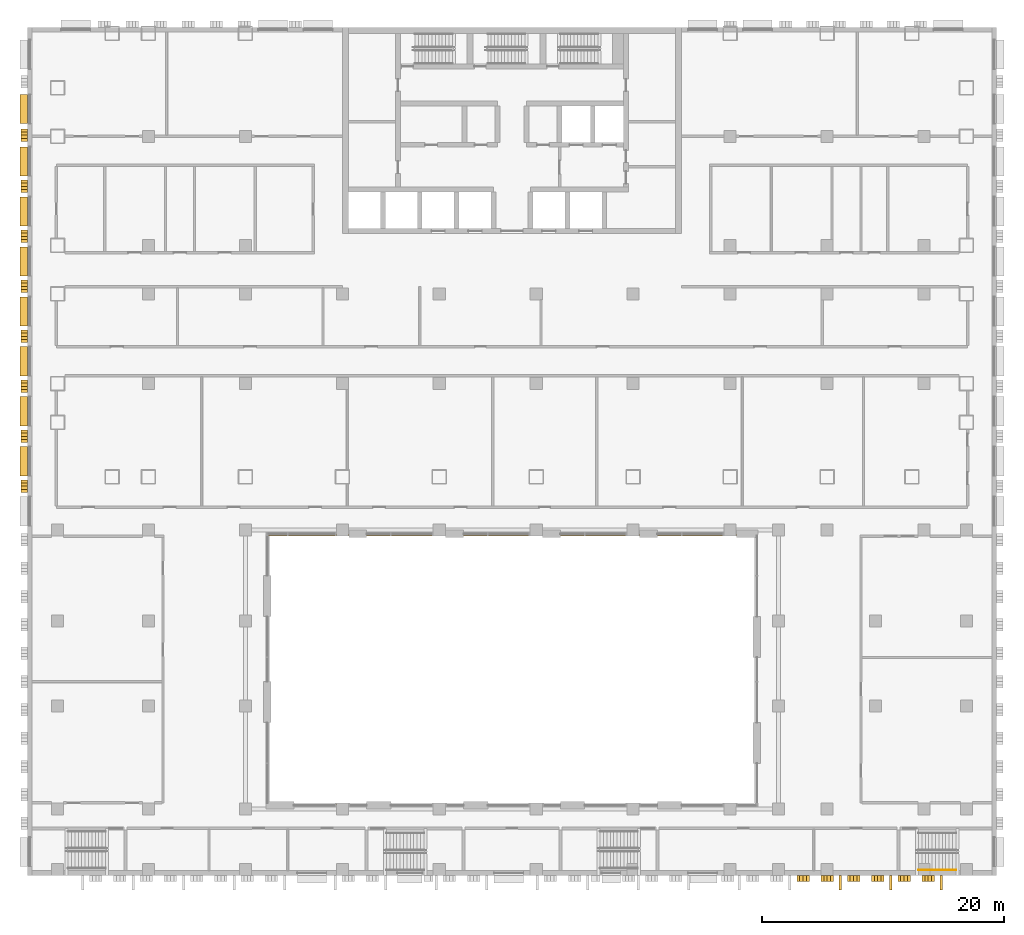
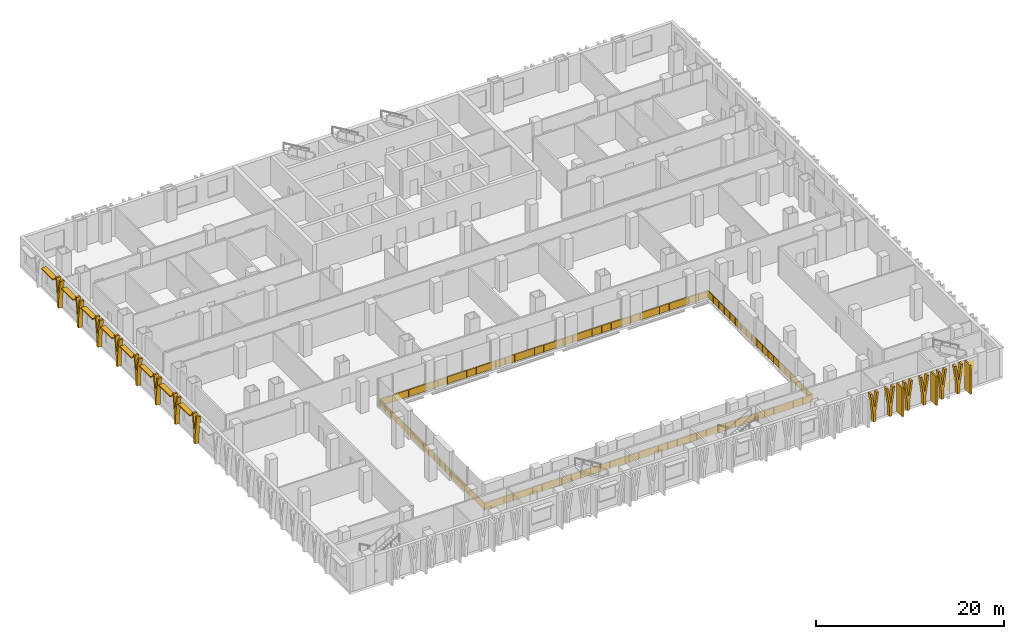
# One storey, part 21 of 25: 25 shading devices, 2 railings.
"""IFC4 building model written with IfcOpenShell, lengths in metres."""

from ifc_helpers import new_model, si_unit, direction, frame, frame_2d, origin, origin_2d, place, context, subcontext, project, spatial, polyline, rectangle, circle, outline, extrude, material, layer, layer_set, type_object, element, save


model = new_model("IFC4")

# Units and contexts
model_context = context("Model", 3, precision=1e-05, world=origin(), true_north=direction((0.0, 1.0)))
body_context = subcontext(model_context, "Body", "Model", "MODEL_VIEW")
ifc_project = project(units=[si_unit("LENGTHUNIT", "METRE"), si_unit("AREAUNIT", "SQUARE_METRE"), si_unit("VOLUMEUNIT", "CUBIC_METRE"), si_unit("PLANEANGLEUNIT", "RADIAN"), si_unit("MASSUNIT", "GRAM", prefix="KILO")], contexts=[model_context])

# Site, building, storey
site_placement = place(None, origin())
site = spatial("IfcSite", under=ifc_project, at=site_placement, CompositionType="ELEMENT")
building_placement = place(site_placement, origin())
building = spatial("IfcBuilding", under=site, at=building_placement, Name="Vidyagriha Tower", CompositionType="ELEMENT")
storey_placement = place(building_placement, frame((0.0, 0.0, 14.0)))
storey = spatial("IfcBuildingStorey", under=building, at=storey_placement, Name="L03", CompositionType="ELEMENT", Elevation=14.0)

# Railing
ifc_material_1 = material(Name="Powder coated ASTM A500 Grade C steel balustrade", Category="steel")
railing_type_1 = type_object("IfcRailingType", Name="Atrium Gallery Guard 1100", PredefinedType="GUARDRAIL", material=ifc_material_1)
railing_1_placement = place(storey_placement, frame((-20.10009765625, -44.0, 0.0)))
element("IfcRailing", 1, at=railing_1_placement, inside=storey, type_object=railing_type_1, Name="L03 atrium gallery guard", PredefinedType="GUARDRAIL", context=body_context, shape_type="SweptSolid", body=[
    extrude(circle(Radius=0.02392578125, at=origin_2d()), frame((0.0, 0.0, 1.076171875), z_axis=(0.0, -1.0, 0.0), x_axis=(1.0, 0.0, 0.0)), (0.0, 0.0, 1.0), 0.10009765625),
    extrude(circle(Radius=0.02392578125, at=origin_2d()), frame((0.0, -0.10009765625, 1.076171875), z_axis=(1.0, 0.0, 0.0), x_axis=(0.0, 1.0, 0.0)), (0.0, 0.0, 1.0), 40.2001953125),
    extrude(circle(Radius=0.02392578125, at=origin_2d()), frame((40.2001953125, -0.10009765625, 1.076171875), z_axis=(0.0, 1.0, 0.0), x_axis=(-1.0, 0.0, 0.0)), (0.0, 0.0, 1.0), 22.2001953125),
    extrude(circle(Radius=0.02392578125, at=origin_2d()), frame((40.2001953125, 22.10009765625, 1.076171875), z_axis=(-1.0, 0.0, 0.0), x_axis=(0.0, -1.0, 0.0)), (0.0, 0.0, 1.0), 40.2001953125),
    extrude(circle(Radius=0.02392578125, at=origin_2d()), frame((0.0, 22.10009765625, 1.076171875), z_axis=(0.0, -1.0, 0.0), x_axis=(1.0, 0.0, 0.0)), (0.0, 0.0, 1.0), 22.0),
    extrude(circle(Radius=0.02099609375, at=origin_2d()), origin(), (0.0, 0.0, 1.0), 1.052001953125),
    extrude(circle(Radius=0.02099609375, at=origin_2d()), frame((0.0, -0.10009765625, 0.0)), (0.0, 0.0, 1.0), 1.052001953125),
    extrude(circle(Radius=0.02099609375, at=origin_2d()), frame((1.182373046875, -0.10009765625, 0.0)), (0.0, 0.0, 1.0), 1.052001953125),
    extrude(circle(Radius=0.02099609375, at=origin_2d()), frame((2.36474609375, -0.10009765625, 0.0)), (0.0, 0.0, 1.0), 1.052001953125),
    extrude(circle(Radius=0.02099609375, at=origin_2d()), frame((3.547119140625, -0.10009765625, 0.0)), (0.0, 0.0, 1.0), 1.052001953125),
    extrude(circle(Radius=0.02099609375, at=origin_2d()), frame((4.7294921875, -0.10009765625, 0.0)), (0.0, 0.0, 1.0), 1.052001953125),
    extrude(circle(Radius=0.02099609375, at=origin_2d()), frame((5.911865234375, -0.10009765625, 0.0)), (0.0, 0.0, 1.0), 1.052001953125),
    extrude(circle(Radius=0.02099609375, at=origin_2d()), frame((7.09423828125, -0.10009765625, 0.0)), (0.0, 0.0, 1.0), 1.052001953125),
    extrude(circle(Radius=0.02099609375, at=origin_2d()), frame((8.276611328125, -0.10009765625, 0.0)), (0.0, 0.0, 1.0), 1.052001953125),
    extrude(circle(Radius=0.02099609375, at=origin_2d()), frame((9.458984375, -0.10009765625, 0.0)), (0.0, 0.0, 1.0), 1.052001953125),
    extrude(circle(Radius=0.02099609375, at=origin_2d()), frame((10.64111328125, -0.10009765625, 0.0)), (0.0, 0.0, 1.0), 1.052001953125),
    extrude(circle(Radius=0.02099609375, at=origin_2d()), frame((11.823486328125, -0.10009765625, 0.0)), (0.0, 0.0, 1.0), 1.052001953125),
    extrude(circle(Radius=0.02099609375, at=origin_2d()), frame((13.005859375, -0.10009765625, 0.0)), (0.0, 0.0, 1.0), 1.052001953125),
    extrude(circle(Radius=0.02099609375, at=origin_2d()), frame((14.188232421875, -0.10009765625, 0.0)), (0.0, 0.0, 1.0), 1.052001953125),
    extrude(circle(Radius=0.02099609375, at=origin_2d()), frame((15.37060546875, -0.10009765625, 0.0)), (0.0, 0.0, 1.0), 1.052001953125),
    extrude(circle(Radius=0.02099609375, at=origin_2d()), frame((16.552978515625, -0.10009765625, 0.0)), (0.0, 0.0, 1.0), 1.052001953125),
    extrude(circle(Radius=0.02099609375, at=origin_2d()), frame((17.7353515625, -0.10009765625, 0.0)), (0.0, 0.0, 1.0), 1.052001953125),
    extrude(circle(Radius=0.02099609375, at=origin_2d()), frame((18.917724609375, -0.10009765625, 0.0)), (0.0, 0.0, 1.0), 1.052001953125),
    extrude(circle(Radius=0.02099609375, at=origin_2d()), frame((20.10009765625, -0.10009765625, 0.0)), (0.0, 0.0, 1.0), 1.052001953125),
    extrude(circle(Radius=0.02099609375, at=origin_2d()), frame((21.282470703125, -0.10009765625, 0.0)), (0.0, 0.0, 1.0), 1.052001953125),
    extrude(circle(Radius=0.02099609375, at=origin_2d()), frame((22.46484375, -0.10009765625, 0.0)), (0.0, 0.0, 1.0), 1.052001953125),
    extrude(circle(Radius=0.02099609375, at=origin_2d()), frame((23.647216796875, -0.10009765625, 0.0)), (0.0, 0.0, 1.0), 1.052001953125),
    extrude(circle(Radius=0.02099609375, at=origin_2d()), frame((24.82958984375, -0.10009765625, 0.0)), (0.0, 0.0, 1.0), 1.052001953125),
    extrude(circle(Radius=0.02099609375, at=origin_2d()), frame((26.011962890625, -0.10009765625, 0.0)), (0.0, 0.0, 1.0), 1.052001953125),
    extrude(circle(Radius=0.02099609375, at=origin_2d()), frame((27.1943359375, -0.10009765625, 0.0)), (0.0, 0.0, 1.0), 1.052001953125),
    extrude(circle(Radius=0.02099609375, at=origin_2d()), frame((28.376708984375, -0.10009765625, 0.0)), (0.0, 0.0, 1.0), 1.052001953125),
    extrude(circle(Radius=0.02099609375, at=origin_2d()), frame((29.55908203125, -0.10009765625, 0.0)), (0.0, 0.0, 1.0), 1.052001953125),
    extrude(circle(Radius=0.02099609375, at=origin_2d()), frame((30.7412109375, -0.10009765625, 0.0)), (0.0, 0.0, 1.0), 1.052001953125),
    extrude(circle(Radius=0.02099609375, at=origin_2d()), frame((31.923583984375, -0.10009765625, 0.0)), (0.0, 0.0, 1.0), 1.052001953125),
    extrude(circle(Radius=0.02099609375, at=origin_2d()), frame((33.10595703125, -0.10009765625, 0.0)), (0.0, 0.0, 1.0), 1.052001953125),
    extrude(circle(Radius=0.02099609375, at=origin_2d()), frame((34.288330078125, -0.10009765625, 0.0)), (0.0, 0.0, 1.0), 1.052001953125),
    extrude(circle(Radius=0.02099609375, at=origin_2d()), frame((35.470703125, -0.10009765625, 0.0)), (0.0, 0.0, 1.0), 1.052001953125),
    extrude(circle(Radius=0.02099609375, at=origin_2d()), frame((36.653076171875, -0.10009765625, 0.0)), (0.0, 0.0, 1.0), 1.052001953125),
    extrude(circle(Radius=0.02099609375, at=origin_2d()), frame((37.83544921875, -0.10009765625, 0.0)), (0.0, 0.0, 1.0), 1.052001953125),
    extrude(circle(Radius=0.02099609375, at=origin_2d()), frame((39.017822265625, -0.10009765625, 0.0)), (0.0, 0.0, 1.0), 1.052001953125),
    extrude(circle(Radius=0.02099609375, at=origin_2d()), frame((40.2001953125, -0.10009765625, 0.0)), (0.0, 0.0, 1.0), 1.052001953125),
    extrude(circle(Radius=0.02099609375, at=origin_2d()), frame((40.2001953125, 1.068359375, 0.0)), (0.0, 0.0, 1.0), 1.052001953125),
    extrude(circle(Radius=0.02099609375, at=origin_2d()), frame((40.2001953125, 2.23681640625, 0.0)), (0.0, 0.0, 1.0), 1.052001953125),
    extrude(circle(Radius=0.02099609375, at=origin_2d()), frame((40.2001953125, 3.4052734375, 0.0)), (0.0, 0.0, 1.0), 1.052001953125),
    extrude(circle(Radius=0.02099609375, at=origin_2d()), frame((40.2001953125, 4.57373046875, 0.0)), (0.0, 0.0, 1.0), 1.052001953125),
    extrude(circle(Radius=0.02099609375, at=origin_2d()), frame((40.2001953125, 5.741943359375, 0.0)), (0.0, 0.0, 1.0), 1.052001953125),
    extrude(circle(Radius=0.02099609375, at=origin_2d()), frame((40.2001953125, 6.910400390625, 0.0)), (0.0, 0.0, 1.0), 1.052001953125),
    extrude(circle(Radius=0.02099609375, at=origin_2d()), frame((40.2001953125, 8.078857421875, 0.0)), (0.0, 0.0, 1.0), 1.052001953125),
    extrude(circle(Radius=0.02099609375, at=origin_2d()), frame((40.2001953125, 9.247314453125, 0.0)), (0.0, 0.0, 1.0), 1.052001953125),
    extrude(circle(Radius=0.02099609375, at=origin_2d()), frame((40.2001953125, 10.415771484375, 0.0)), (0.0, 0.0, 1.0), 1.052001953125),
    extrude(circle(Radius=0.02099609375, at=origin_2d()), frame((40.2001953125, 11.584228515625, 0.0)), (0.0, 0.0, 1.0), 1.052001953125),
    extrude(circle(Radius=0.02099609375, at=origin_2d()), frame((40.2001953125, 12.752685546875, 0.0)), (0.0, 0.0, 1.0), 1.052001953125),
    extrude(circle(Radius=0.02099609375, at=origin_2d()), frame((40.2001953125, 13.921142578125, 0.0)), (0.0, 0.0, 1.0), 1.052001953125),
    extrude(circle(Radius=0.02099609375, at=origin_2d()), frame((40.2001953125, 15.089599609375, 0.0)), (0.0, 0.0, 1.0), 1.052001953125),
    extrude(circle(Radius=0.02099609375, at=origin_2d()), frame((40.2001953125, 16.258056640625, 0.0)), (0.0, 0.0, 1.0), 1.052001953125),
    extrude(circle(Radius=0.02099609375, at=origin_2d()), frame((40.2001953125, 17.42626953125, 0.0)), (0.0, 0.0, 1.0), 1.052001953125),
    extrude(circle(Radius=0.02099609375, at=origin_2d()), frame((40.2001953125, 18.5947265625, 0.0)), (0.0, 0.0, 1.0), 1.052001953125),
    extrude(circle(Radius=0.02099609375, at=origin_2d()), frame((40.2001953125, 19.76318359375, 0.0)), (0.0, 0.0, 1.0), 1.052001953125),
    extrude(circle(Radius=0.02099609375, at=origin_2d()), frame((40.2001953125, 20.931640625, 0.0)), (0.0, 0.0, 1.0), 1.052001953125),
    extrude(circle(Radius=0.02099609375, at=origin_2d()), frame((40.2001953125, 22.10009765625, 0.0)), (0.0, 0.0, 1.0), 1.052001953125),
    extrude(circle(Radius=0.02099609375, at=origin_2d()), frame((39.017822265625, 22.10009765625, 0.0)), (0.0, 0.0, 1.0), 1.052001953125),
    extrude(circle(Radius=0.02099609375, at=origin_2d()), frame((37.83544921875, 22.10009765625, 0.0)), (0.0, 0.0, 1.0), 1.052001953125),
    extrude(circle(Radius=0.02099609375, at=origin_2d()), frame((36.653076171875, 22.10009765625, 0.0)), (0.0, 0.0, 1.0), 1.052001953125),
    extrude(circle(Radius=0.02099609375, at=origin_2d()), frame((35.470703125, 22.10009765625, 0.0)), (0.0, 0.0, 1.0), 1.052001953125),
    extrude(circle(Radius=0.02099609375, at=origin_2d()), frame((34.288330078125, 22.10009765625, 0.0)), (0.0, 0.0, 1.0), 1.052001953125),
    extrude(circle(Radius=0.02099609375, at=origin_2d()), frame((33.10595703125, 22.10009765625, 0.0)), (0.0, 0.0, 1.0), 1.052001953125),
    extrude(circle(Radius=0.02099609375, at=origin_2d()), frame((31.923583984375, 22.10009765625, 0.0)), (0.0, 0.0, 1.0), 1.052001953125),
    extrude(circle(Radius=0.02099609375, at=origin_2d()), frame((30.7412109375, 22.10009765625, 0.0)), (0.0, 0.0, 1.0), 1.052001953125),
    extrude(circle(Radius=0.02099609375, at=origin_2d()), frame((29.55908203125, 22.10009765625, 0.0)), (0.0, 0.0, 1.0), 1.052001953125),
    extrude(circle(Radius=0.02099609375, at=origin_2d()), frame((28.376708984375, 22.10009765625, 0.0)), (0.0, 0.0, 1.0), 1.052001953125),
    extrude(circle(Radius=0.02099609375, at=origin_2d()), frame((27.1943359375, 22.10009765625, 0.0)), (0.0, 0.0, 1.0), 1.052001953125),
    extrude(circle(Radius=0.02099609375, at=origin_2d()), frame((26.011962890625, 22.10009765625, 0.0)), (0.0, 0.0, 1.0), 1.052001953125),
    extrude(circle(Radius=0.02099609375, at=origin_2d()), frame((24.82958984375, 22.10009765625, 0.0)), (0.0, 0.0, 1.0), 1.052001953125),
    extrude(circle(Radius=0.02099609375, at=origin_2d()), frame((23.647216796875, 22.10009765625, 0.0)), (0.0, 0.0, 1.0), 1.052001953125),
    extrude(circle(Radius=0.02099609375, at=origin_2d()), frame((22.46484375, 22.10009765625, 0.0)), (0.0, 0.0, 1.0), 1.052001953125),
    extrude(circle(Radius=0.02099609375, at=origin_2d()), frame((21.282470703125, 22.10009765625, 0.0)), (0.0, 0.0, 1.0), 1.052001953125),
    extrude(circle(Radius=0.02099609375, at=origin_2d()), frame((20.10009765625, 22.10009765625, 0.0)), (0.0, 0.0, 1.0), 1.052001953125),
    extrude(circle(Radius=0.02099609375, at=origin_2d()), frame((18.917724609375, 22.10009765625, 0.0)), (0.0, 0.0, 1.0), 1.052001953125),
    extrude(circle(Radius=0.02099609375, at=origin_2d()), frame((17.7353515625, 22.10009765625, 0.0)), (0.0, 0.0, 1.0), 1.052001953125),
    extrude(circle(Radius=0.02099609375, at=origin_2d()), frame((16.552978515625, 22.10009765625, 0.0)), (0.0, 0.0, 1.0), 1.052001953125),
    extrude(circle(Radius=0.02099609375, at=origin_2d()), frame((15.37060546875, 22.10009765625, 0.0)), (0.0, 0.0, 1.0), 1.052001953125),
    extrude(circle(Radius=0.02099609375, at=origin_2d()), frame((14.188232421875, 22.10009765625, 0.0)), (0.0, 0.0, 1.0), 1.052001953125),
    extrude(circle(Radius=0.02099609375, at=origin_2d()), frame((13.005859375, 22.10009765625, 0.0)), (0.0, 0.0, 1.0), 1.052001953125),
    extrude(circle(Radius=0.02099609375, at=origin_2d()), frame((11.823486328125, 22.10009765625, 0.0)), (0.0, 0.0, 1.0), 1.052001953125),
    extrude(circle(Radius=0.02099609375, at=origin_2d()), frame((10.64111328125, 22.10009765625, 0.0)), (0.0, 0.0, 1.0), 1.052001953125),
    extrude(circle(Radius=0.02099609375, at=origin_2d()), frame((9.458984375, 22.10009765625, 0.0)), (0.0, 0.0, 1.0), 1.052001953125),
    extrude(circle(Radius=0.02099609375, at=origin_2d()), frame((8.276611328125, 22.10009765625, 0.0)), (0.0, 0.0, 1.0), 1.052001953125),
    extrude(circle(Radius=0.02099609375, at=origin_2d()), frame((7.09423828125, 22.10009765625, 0.0)), (0.0, 0.0, 1.0), 1.052001953125),
    extrude(circle(Radius=0.02099609375, at=origin_2d()), frame((5.911865234375, 22.10009765625, 0.0)), (0.0, 0.0, 1.0), 1.052001953125),
    extrude(circle(Radius=0.02099609375, at=origin_2d()), frame((4.7294921875, 22.10009765625, 0.0)), (0.0, 0.0, 1.0), 1.052001953125),
    extrude(circle(Radius=0.02099609375, at=origin_2d()), frame((3.547119140625, 22.10009765625, 0.0)), (0.0, 0.0, 1.0), 1.052001953125),
    extrude(circle(Radius=0.02099609375, at=origin_2d()), frame((2.36474609375, 22.10009765625, 0.0)), (0.0, 0.0, 1.0), 1.052001953125),
    extrude(circle(Radius=0.02099609375, at=origin_2d()), frame((1.182373046875, 22.10009765625, 0.0)), (0.0, 0.0, 1.0), 1.052001953125),
    extrude(circle(Radius=0.02099609375, at=origin_2d()), frame((0.0, 22.10009765625, 0.0)), (0.0, 0.0, 1.0), 1.052001953125),
    extrude(circle(Radius=0.02099609375, at=origin_2d()), frame((0.0, 20.942138671875, 0.0)), (0.0, 0.0, 1.0), 1.052001953125),
    extrude(circle(Radius=0.02099609375, at=origin_2d()), frame((0.0, 19.784423828125, 0.0)), (0.0, 0.0, 1.0), 1.052001953125),
    extrude(circle(Radius=0.02099609375, at=origin_2d()), frame((0.0, 18.62646484375, 0.0)), (0.0, 0.0, 1.0), 1.052001953125),
    extrude(circle(Radius=0.02099609375, at=origin_2d()), frame((0.0, 17.468505859375, 0.0)), (0.0, 0.0, 1.0), 1.052001953125),
    extrude(circle(Radius=0.02099609375, at=origin_2d()), frame((0.0, 16.310546875, 0.0)), (0.0, 0.0, 1.0), 1.052001953125),
    extrude(circle(Radius=0.02099609375, at=origin_2d()), frame((0.0, 15.15283203125, 0.0)), (0.0, 0.0, 1.0), 1.052001953125),
    extrude(circle(Radius=0.02099609375, at=origin_2d()), frame((0.0, 13.994873046875, 0.0)), (0.0, 0.0, 1.0), 1.052001953125),
    extrude(circle(Radius=0.02099609375, at=origin_2d()), frame((0.0, 12.8369140625, 0.0)), (0.0, 0.0, 1.0), 1.052001953125),
    extrude(circle(Radius=0.02099609375, at=origin_2d()), frame((0.0, 11.678955078125, 0.0)), (0.0, 0.0, 1.0), 1.052001953125),
    extrude(circle(Radius=0.02099609375, at=origin_2d()), frame((0.0, 10.521240234375, 0.0)), (0.0, 0.0, 1.0), 1.052001953125),
    extrude(circle(Radius=0.02099609375, at=origin_2d()), frame((0.0, 9.36328125, 0.0)), (0.0, 0.0, 1.0), 1.052001953125),
    extrude(circle(Radius=0.02099609375, at=origin_2d()), frame((0.0, 8.205322265625, 0.0)), (0.0, 0.0, 1.0), 1.052001953125),
    extrude(circle(Radius=0.02099609375, at=origin_2d()), frame((0.0, 7.04736328125, 0.0)), (0.0, 0.0, 1.0), 1.052001953125),
    extrude(circle(Radius=0.02099609375, at=origin_2d()), frame((0.0, 5.8896484375, 0.0)), (0.0, 0.0, 1.0), 1.052001953125),
    extrude(circle(Radius=0.02099609375, at=origin_2d()), frame((0.0, 4.731689453125, 0.0)), (0.0, 0.0, 1.0), 1.052001953125),
    extrude(circle(Radius=0.02099609375, at=origin_2d()), frame((0.0, 3.57373046875, 0.0)), (0.0, 0.0, 1.0), 1.052001953125),
    extrude(circle(Radius=0.02099609375, at=origin_2d()), frame((0.0, 2.415771484375, 0.0)), (0.0, 0.0, 1.0), 1.052001953125),
    extrude(circle(Radius=0.02099609375, at=origin_2d()), frame((0.0, 1.258056640625, 0.0)), (0.0, 0.0, 1.0), 1.052001953125),
    extrude(circle(Radius=0.02099609375, at=origin_2d()), frame((0.0, 0.10009765625, 0.0)), (0.0, 0.0, 1.0), 1.052001953125),
    extrude(rectangle(XDim=0.010009765625, YDim=0.902099609375, at=origin_2d()), frame((0.0, 0.0, 0.551025390625), z_axis=(0.0, -1.0, 0.0), x_axis=(1.0, 0.0, 0.0)), (0.0, 0.0, 1.0), 0.10009765625),
    extrude(rectangle(XDim=0.010009765625, YDim=0.902099609375, at=origin_2d()), frame((0.0, -0.10009765625, 0.551025390625), z_axis=(1.0, 0.0, 0.0), x_axis=(0.0, 1.0, 0.0)), (0.0, 0.0, 1.0), 40.2001953125),
    extrude(rectangle(XDim=0.010009765625, YDim=0.902099609375, at=origin_2d()), frame((40.2001953125, -0.10009765625, 0.551025390625), z_axis=(0.0, 1.0, 0.0), x_axis=(-1.0, 0.0, 0.0)), (0.0, 0.0, 1.0), 22.2001953125),
    extrude(rectangle(XDim=0.010009765625, YDim=0.902099609375, at=origin_2d()), frame((40.2001953125, 22.10009765625, 0.551025390625), z_axis=(-1.0, 0.0, 0.0), x_axis=(0.0, -1.0, 0.0)), (0.0, 0.0, 1.0), 40.2001953125),
    extrude(rectangle(XDim=0.010009765625, YDim=0.902099609375, at=origin_2d()), frame((0.0, 22.10009765625, 0.551025390625), z_axis=(0.0, -1.0, 0.0), x_axis=(1.0, 0.0, 0.0)), (0.0, 0.0, 1.0), 22.0),
])

# Shading devices
ifc_material_2 = material(Name="Precast concrete C40/50 with brick facing", Category="concrete")
ifc_layer_1 = layer(ifc_material_2, 0.14990234375)
ifc_layer_set_1 = layer_set([ifc_layer_1], Name="Precast concrete C40/50 with brick facing")
shading_device_type_1 = type_object("IfcShadingDeviceType", Name="Brick chhajja window hood", PredefinedType="AWNING", material=ifc_layer_set_1)
for number, where, z_axis, x_axis, name in (
    (2, (-40.300048828125, 13.25, 3.0), (0.0, 0.0, 1.0), (0.0, -1.0, 0.0), "Window hood L03 R05.2"),
    (3, (-40.300048828125, 8.9375, 3.0), (0.0, 0.0, 1.0), (0.0, -1.0, 0.0), "Window hood L03 R05.3"),
    (4, (-40.300048828125, 4.8125, 3.0), (0.0, 0.0, 1.0), (0.0, -1.0, 0.0), "Window hood L03 R05.4"),
    (5, (-40.300048828125, 0.6875, 3.0), (0.0, 0.0, 1.0), (0.0, -1.0, 0.0), "Window hood L03 R05.5"),
    (6, (-40.300048828125, -3.4375, 3.0), (0.0, 0.0, 1.0), (0.0, -1.0, 0.0), "Window hood L03 R05.6"),
    (7, (-40.300048828125, -7.5625, 3.0), (0.0, 0.0, 1.0), (0.0, -1.0, 0.0), "Window hood L03 R05.7"),
    (8, (-40.300048828125, -11.6875, 3.0), (0.0, 0.0, 1.0), (0.0, -1.0, 0.0), "Window hood L03 R05.8"),
    (9, (-40.300048828125, -15.8125, 3.0), (0.0, 0.0, 1.0), (0.0, -1.0, 0.0), "Window hood L03 R05.9"),
):
    element("IfcShadingDevice", number, at=place(storey_placement, frame(where, z_axis=z_axis, x_axis=x_axis)), inside=storey, type_object=shading_device_type_1, Name=name, PredefinedType="AWNING", context=body_context, shape_type="SweptSolid", body=[
        extrude(rectangle(XDim=2.39990234375, YDim=0.60009765625, at=origin_2d()), origin(), (0.0, 0.0, 1.0), 0.14990234375),
    ])
ifc_material_3 = material(Name="Precast concrete C40/50 with buff brick facing", Category="concrete")
ifc_layer_2 = layer(ifc_material_3, 0.300048828125)
ifc_layer_set_2 = layer_set([ifc_layer_2], Name="Precast concrete C40/50 with buff brick facing")
shading_device_type_2 = type_object("IfcShadingDeviceType", Name="Brick-faced podium blade forking 8 degrees", PredefinedType="USERDEFINED", material=ifc_layer_set_2)
for number, where, z_axis, x_axis, name in (
    (10, (-40.25, 11.609130859375, 0.0), (0.0, 0.0, 1.0), (0.0, -1.0, 0.0), "Podium blade L03 R05.891"),
    (11, (-40.25, 7.390380859375, 0.0), (0.0, 0.0, 1.0), (0.0, -1.0, 0.0), "Podium blade L03 R05.1312"),
    (12, (-40.25, 3.265380859375, 0.0), (0.0, 0.0, 1.0), (0.0, -1.0, 0.0), "Podium blade L03 R05.1725"),
    (13, (-40.25, -0.859619140625, 0.0), (0.0, 0.0, 1.0), (0.0, -1.0, 0.0), "Podium blade L03 R05.2138"),
    (14, (-40.25, -4.984619140625, 0.0), (0.0, 0.0, 1.0), (0.0, -1.0, 0.0), "Podium blade L03 R05.2550"),
    (15, (-40.25, -9.109619140625, 0.0), (0.0, 0.0, 1.0), (0.0, -1.0, 0.0), "Podium blade L03 R05.2962"),
    (16, (-40.25, -13.234619140625, 0.0), (0.0, 0.0, 1.0), (0.0, -1.0, 0.0), "Podium blade L03 R05.3375"),
    (17, (-40.25, -17.359619140625, 0.0), (0.0, 0.0, 1.0), (0.0, -1.0, 0.0), "Podium blade L03 R05.3788"),
):
    element("IfcShadingDevice", number, at=place(storey_placement, frame(where, z_axis=z_axis, x_axis=x_axis)), inside=storey, type_object=shading_device_type_2, Name=name, ObjectType="BLADE FIN", PredefinedType="USERDEFINED", context=body_context, shape_type="SweptSolid", body=[
        extrude(outline(polyline([(0.665283203125, 0.0), (0.665283203125, 1.10009765625), (1.03076171875, 3.699951171875), (0.790771484375, 3.699951171875), (0.515380859375, 1.740478515625), (0.239990234375, 3.699951171875), (0.0, 3.699951171875), (0.365478515625, 1.10009765625), (0.365478515625, 0.0), (0.665283203125, 0.0)])), frame((0.0, 0.25, 0.0), z_axis=(0.0, -1.0, 0.0), x_axis=(1.0, 0.0, 0.0)), (0.0, 0.0, 1.0), 0.5),
    ])
for number, where, name in (
    (18, (23.5029296875, -50.25, 0.0), "Podium blade L03 R06.6362"),
    (19, (25.4873046875, -50.25, 0.0), "Podium blade L03 R06.6560"),
    (20, (27.67138671875, -50.25, 0.0), "Podium blade L03 R06.6779"),
    (21, (29.655517578125, -50.25, 0.0), "Podium blade L03 R06.6977"),
    (22, (31.83984375, -50.25, 0.0), "Podium blade L03 R06.7196"),
    (23, (33.82421875, -50.25, 0.0), "Podium blade L03 R06.7394"),
):
    element("IfcShadingDevice", number, at=place(storey_placement, frame(where)), inside=storey, type_object=shading_device_type_2, Name=name, ObjectType="BLADE FIN", PredefinedType="USERDEFINED", context=body_context, shape_type="SweptSolid", body=[
        extrude(outline(polyline([(0.665283203125, 0.0), (0.665283203125, 1.10009765625), (1.03076171875, 3.699951171875), (0.790771484375, 3.699951171875), (0.515380859375, 1.740478515625), (0.239990234375, 3.699951171875), (0.0, 3.699951171875), (0.365478515625, 1.10009765625), (0.365478515625, 0.0), (0.665283203125, 0.0)])), frame((0.0, 0.25, 0.0), z_axis=(0.0, -1.0, 0.0), x_axis=(1.0, 0.0, 0.0)), (0.0, 0.0, 1.0), 0.5),
    ])
ifc_material_4 = material(Name="Precast concrete C40/50 with brick facing", Category="concrete")
ifc_layer_3 = layer(ifc_material_4, 0.199951171875)
ifc_layer_set_3 = layer_set([ifc_layer_3], Name="Precast concrete C40/50 with brick facing")
shading_device_type_3 = type_object("IfcShadingDeviceType", Name="Brick-faced solar fin 1200", PredefinedType="USERDEFINED", material=ifc_layer_set_3)
for number, where, z_axis, x_axis, name in (
    (24, (27.0947265625, -50.0, 0.0), (0.0, 0.0, 1.0), (0.0, -1.0, 0.0), "Solar fin L03 R06.16"),
    (25, (31.26318359375, -50.0, 0.0), (0.0, 0.0, 1.0), (0.0, -1.0, 0.0), "Solar fin L03 R06.17"),
    (26, (35.431640625, -50.0, 0.0), (0.0, 0.0, 1.0), (0.0, -1.0, 0.0), "Solar fin L03 R06.18"),
):
    element("IfcShadingDevice", number, at=place(storey_placement, frame(where, z_axis=z_axis, x_axis=x_axis)), inside=storey, type_object=shading_device_type_3, Name=name, ObjectType="SOLAR FIN", PredefinedType="USERDEFINED", context=body_context, shape_type="SweptSolid", body=[
        extrude(rectangle(XDim=1.199951171875, YDim=0.199951171875, at=frame_2d((0.60009765625, 0.0))), origin(), (0.0, 0.0, 1.0), 3.699951171875),
    ])

# Railing
ifc_material_5 = material(Name="Powder coated ASTM A500 Grade C steel handrail", Category="steel")
railing_type_2 = type_object("IfcRailingType", Name="Podium Stair Handrail 900", PredefinedType="HANDRAIL", material=ifc_material_5)
railing_2_placement = place(storey_placement, frame((33.544921875, -49.550048828125, 0.166748046875)))
element("IfcRailing", 27, at=railing_2_placement, inside=storey, type_object=railing_type_2, Name="L03 PS2 stair handrail 1", PredefinedType="HANDRAIL", context=body_context, shape_type="SweptSolid", body=[
    extrude(circle(Radius=0.02392578125, at=origin_2d()), frame((0.0, 0.0, 0.8759765625), z_axis=(0.859308565015, 0.0, 0.511457515432), x_axis=(0.0, 1.0, 0.0)), (0.0, 0.0, 1.0), 3.58447265625),
    extrude(circle(Radius=0.02099609375, at=origin_2d()), origin(), (0.0, 0.0, 1.0), 0.851806640625),
    extrude(circle(Radius=0.02099609375, at=origin_2d()), frame((1.026611328125, 0.0, 0.611083984375)), (0.0, 0.0, 1.0), 0.851806640625),
    extrude(circle(Radius=0.02099609375, at=origin_2d()), frame((2.053466796875, 0.0, 1.22216796875)), (0.0, 0.0, 1.0), 0.851806640625),
    extrude(circle(Radius=0.02099609375, at=origin_2d()), frame((3.080078125, 0.0, 1.833251953125)), (0.0, 0.0, 1.0), 0.851806640625),
])

save(model, "model.ifc")
